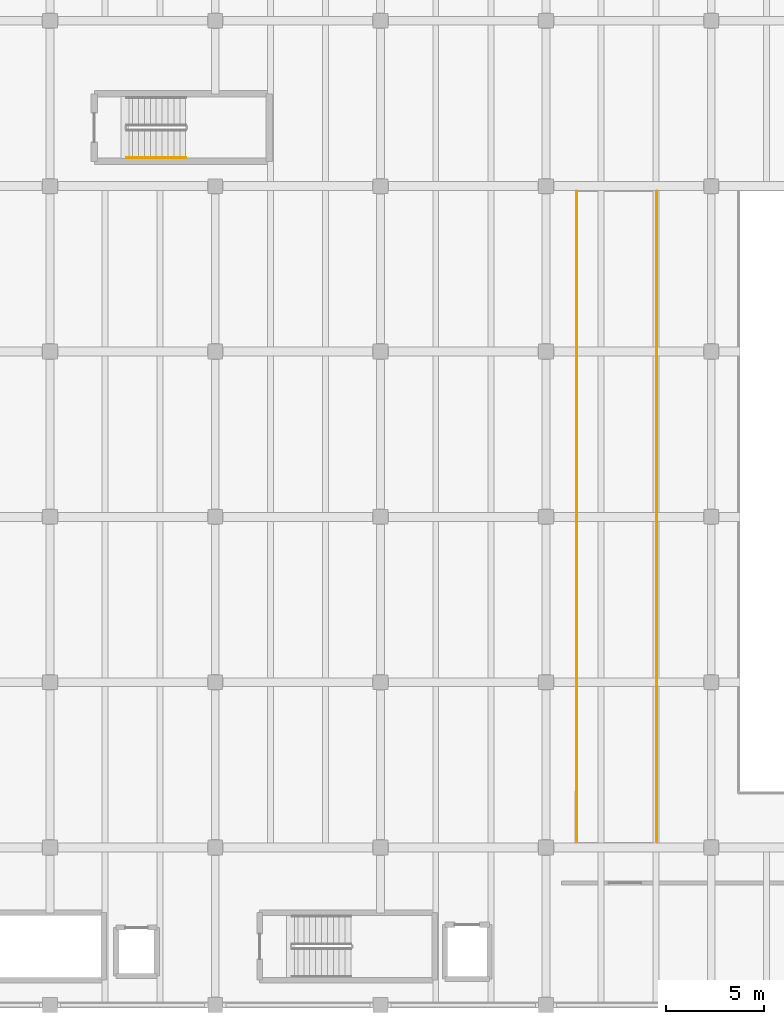
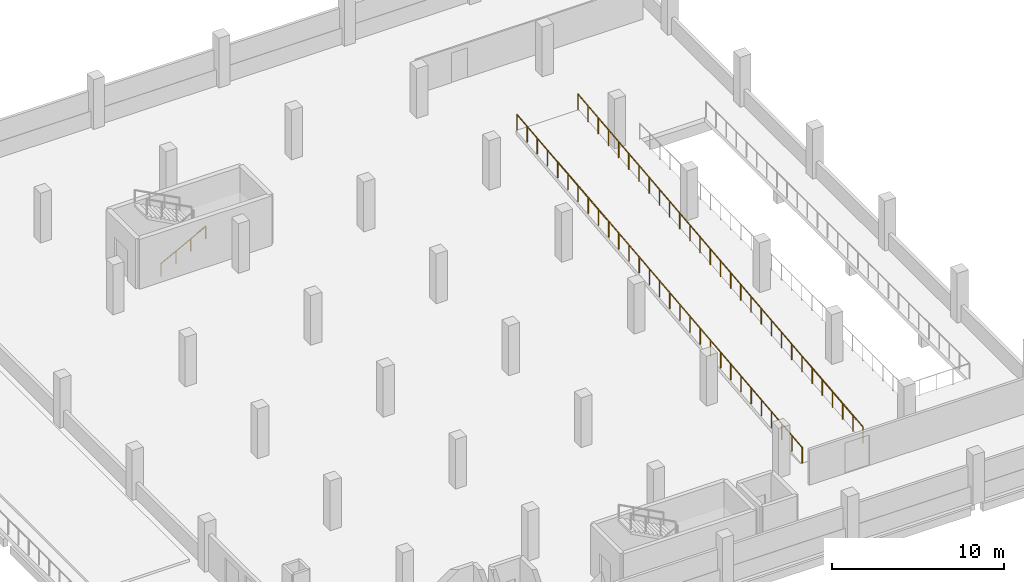
# One storey, part 93 of 95: 3 railings.
"""IFC4 building model written with IfcOpenShell, lengths in metres."""

from ifc_helpers import new_model, si_unit, direction, frame, origin, origin_2d, place, context, subcontext, project, spatial, circle, extrude, material, type_object, element, save


model = new_model("IFC4")

# Units and contexts
model_context = context("Model", 3, precision=1e-05, world=origin(), true_north=direction((0.0, 1.0)))
body_context = subcontext(model_context, "Body", "Model", "MODEL_VIEW")
ifc_project = project(units=[si_unit("LENGTHUNIT", "METRE"), si_unit("AREAUNIT", "SQUARE_METRE"), si_unit("VOLUMEUNIT", "CUBIC_METRE"), si_unit("PLANEANGLEUNIT", "RADIAN"), si_unit("MASSUNIT", "GRAM", prefix="KILO"), si_unit("THERMODYNAMICTEMPERATUREUNIT", "KELVIN"), si_unit("POWERUNIT", "WATT")], contexts=[model_context])

# Site, building, storey
site_placement = place(None, origin())
site = spatial("IfcSite", under=ifc_project, at=site_placement, CompositionType="ELEMENT")
building_placement = place(site_placement, origin())
building = spatial("IfcBuilding", under=site, at=building_placement, Name="Mavoryth Pier Ferry Terminal", CompositionType="ELEMENT")
storey_placement = place(building_placement, frame((0.0, 0.0, 9.60009765625)))
storey = spatial("IfcBuildingStorey", under=building, at=storey_placement, Name="L02", CompositionType="ELEMENT", Elevation=9.60009765625)

# Railings
ifc_material_1 = material(Name="Galvanised Steel Vehicle-Deck Edge Guardrail", Category="steel")
railing_type_1 = type_object("IfcRailingType", Name="Guard-Deck-Heavy1140", PredefinedType="GUARDRAIL", material=ifc_material_1)
railing_1_placement = place(storey_placement, frame((156.840087890625, 22.260009765625, 0.0)))
element("IfcRailing", 1, at=railing_1_placement, inside=storey, type_object=railing_type_1, Name="Ramp VR03 Rail", PredefinedType="GUARDRAIL", context=body_context, shape_type="SweptSolid", body=[
    extrude(circle(Radius=0.02392578125, at=origin_2d()), frame((0.0, 0.0, 1.11572265625), z_axis=(0.0, 0.994386186236, 0.105811684722), x_axis=(-1.0, 0.0, 0.0)), (0.0, 0.0, 1.0), 33.266845703125),
    extrude(circle(Radius=0.02099609375, at=origin_2d()), origin(), (0.0, 0.0, 1.0), 1.091796875),
    extrude(circle(Radius=0.02099609375, at=origin_2d()), frame((0.0, 1.181396484375, 0.125732421875)), (0.0, 0.0, 1.0), 1.091796875),
    extrude(circle(Radius=0.02099609375, at=origin_2d()), frame((0.0, 2.36279296875, 0.25146484375)), (0.0, 0.0, 1.0), 1.091796875),
    extrude(circle(Radius=0.02099609375, at=origin_2d()), frame((0.0, 3.544189453125, 0.377197265625)), (0.0, 0.0, 1.0), 1.091796875),
    extrude(circle(Radius=0.02099609375, at=origin_2d()), frame((0.0, 4.725830078125, 0.5029296875)), (0.0, 0.0, 1.0), 1.091796875),
    extrude(circle(Radius=0.02099609375, at=origin_2d()), frame((0.0, 5.9072265625, 0.628662109375)), (0.0, 0.0, 1.0), 1.091796875),
    extrude(circle(Radius=0.02099609375, at=origin_2d()), frame((0.0, 7.088623046875, 0.75439453125)), (0.0, 0.0, 1.0), 1.091796875),
    extrude(circle(Radius=0.02099609375, at=origin_2d()), frame((0.0, 8.27001953125, 0.8798828125)), (0.0, 0.0, 1.0), 1.091796875),
    extrude(circle(Radius=0.02099609375, at=origin_2d()), frame((0.0, 9.451416015625, 1.005615234375)), (0.0, 0.0, 1.0), 1.091796875),
    extrude(circle(Radius=0.02099609375, at=origin_2d()), frame((0.0, 10.6328125, 1.13134765625)), (0.0, 0.0, 1.0), 1.091796875),
    extrude(circle(Radius=0.02099609375, at=origin_2d()), frame((0.0, 11.814208984375, 1.257080078125)), (0.0, 0.0, 1.0), 1.091796875),
    extrude(circle(Radius=0.02099609375, at=origin_2d()), frame((0.0, 12.995849609375, 1.3828125)), (0.0, 0.0, 1.0), 1.091796875),
    extrude(circle(Radius=0.02099609375, at=origin_2d()), frame((0.0, 14.17724609375, 1.508544921875)), (0.0, 0.0, 1.0), 1.091796875),
    extrude(circle(Radius=0.02099609375, at=origin_2d()), frame((0.0, 15.358642578125, 1.63427734375)), (0.0, 0.0, 1.0), 1.091796875),
    extrude(circle(Radius=0.02099609375, at=origin_2d()), frame((0.0, 16.5400390625, 1.760009765625)), (0.0, 0.0, 1.0), 1.091796875),
    extrude(circle(Radius=0.02099609375, at=origin_2d()), frame((0.0, 17.721435546875, 1.8857421875)), (0.0, 0.0, 1.0), 1.091796875),
    extrude(circle(Radius=0.02099609375, at=origin_2d()), frame((0.0, 18.90283203125, 2.011474609375)), (0.0, 0.0, 1.0), 1.091796875),
    extrude(circle(Radius=0.02099609375, at=origin_2d()), frame((0.0, 20.084228515625, 2.13720703125)), (0.0, 0.0, 1.0), 1.091796875),
    extrude(circle(Radius=0.02099609375, at=origin_2d()), frame((0.0, 21.265869140625, 2.262939453125)), (0.0, 0.0, 1.0), 1.091796875),
    extrude(circle(Radius=0.02099609375, at=origin_2d()), frame((0.0, 22.447265625, 2.388671875)), (0.0, 0.0, 1.0), 1.091796875),
    extrude(circle(Radius=0.02099609375, at=origin_2d()), frame((0.0, 23.628662109375, 2.514404296875)), (0.0, 0.0, 1.0), 1.091796875),
    extrude(circle(Radius=0.02099609375, at=origin_2d()), frame((0.0, 24.81005859375, 2.64013671875)), (0.0, 0.0, 1.0), 1.091796875),
    extrude(circle(Radius=0.02099609375, at=origin_2d()), frame((0.0, 25.991455078125, 2.765625)), (0.0, 0.0, 1.0), 1.091796875),
    extrude(circle(Radius=0.02099609375, at=origin_2d()), frame((0.0, 27.1728515625, 2.891357421875)), (0.0, 0.0, 1.0), 1.091796875),
    extrude(circle(Radius=0.02099609375, at=origin_2d()), frame((0.0, 28.354248046875, 3.01708984375)), (0.0, 0.0, 1.0), 1.091796875),
    extrude(circle(Radius=0.02099609375, at=origin_2d()), frame((0.0, 29.535888671875, 3.142822265625)), (0.0, 0.0, 1.0), 1.091796875),
    extrude(circle(Radius=0.02099609375, at=origin_2d()), frame((0.0, 30.71728515625, 3.2685546875)), (0.0, 0.0, 1.0), 1.091796875),
    extrude(circle(Radius=0.02099609375, at=origin_2d()), frame((0.0, 31.898681640625, 3.394287109375)), (0.0, 0.0, 1.0), 1.091796875),
    extrude(circle(Radius=0.02099609375, at=origin_2d()), frame((0.0, 33.080078125, 3.52001953125)), (0.0, 0.0, 1.0), 1.091796875),
])
railing_2_placement = place(storey_placement, frame((152.760009765625, 22.260009765625, 0.0)))
element("IfcRailing", 2, at=railing_2_placement, inside=storey, type_object=railing_type_1, Name="Ramp VR03 Rail", PredefinedType="GUARDRAIL", context=body_context, shape_type="SweptSolid", body=[
    extrude(circle(Radius=0.02392578125, at=origin_2d()), frame((0.0, 0.0, 1.11572265625), z_axis=(0.0, 0.994386186236, 0.105811684722), x_axis=(-1.0, 0.0, 0.0)), (0.0, 0.0, 1.0), 33.266845703125),
    extrude(circle(Radius=0.02099609375, at=origin_2d()), origin(), (0.0, 0.0, 1.0), 1.091796875),
    extrude(circle(Radius=0.02099609375, at=origin_2d()), frame((0.0, 1.181396484375, 0.125732421875)), (0.0, 0.0, 1.0), 1.091796875),
    extrude(circle(Radius=0.02099609375, at=origin_2d()), frame((0.0, 2.36279296875, 0.25146484375)), (0.0, 0.0, 1.0), 1.091796875),
    extrude(circle(Radius=0.02099609375, at=origin_2d()), frame((0.0, 3.544189453125, 0.377197265625)), (0.0, 0.0, 1.0), 1.091796875),
    extrude(circle(Radius=0.02099609375, at=origin_2d()), frame((0.0, 4.725830078125, 0.5029296875)), (0.0, 0.0, 1.0), 1.091796875),
    extrude(circle(Radius=0.02099609375, at=origin_2d()), frame((0.0, 5.9072265625, 0.628662109375)), (0.0, 0.0, 1.0), 1.091796875),
    extrude(circle(Radius=0.02099609375, at=origin_2d()), frame((0.0, 7.088623046875, 0.75439453125)), (0.0, 0.0, 1.0), 1.091796875),
    extrude(circle(Radius=0.02099609375, at=origin_2d()), frame((0.0, 8.27001953125, 0.8798828125)), (0.0, 0.0, 1.0), 1.091796875),
    extrude(circle(Radius=0.02099609375, at=origin_2d()), frame((0.0, 9.451416015625, 1.005615234375)), (0.0, 0.0, 1.0), 1.091796875),
    extrude(circle(Radius=0.02099609375, at=origin_2d()), frame((0.0, 10.6328125, 1.13134765625)), (0.0, 0.0, 1.0), 1.091796875),
    extrude(circle(Radius=0.02099609375, at=origin_2d()), frame((0.0, 11.814208984375, 1.257080078125)), (0.0, 0.0, 1.0), 1.091796875),
    extrude(circle(Radius=0.02099609375, at=origin_2d()), frame((0.0, 12.995849609375, 1.3828125)), (0.0, 0.0, 1.0), 1.091796875),
    extrude(circle(Radius=0.02099609375, at=origin_2d()), frame((0.0, 14.17724609375, 1.508544921875)), (0.0, 0.0, 1.0), 1.091796875),
    extrude(circle(Radius=0.02099609375, at=origin_2d()), frame((0.0, 15.358642578125, 1.63427734375)), (0.0, 0.0, 1.0), 1.091796875),
    extrude(circle(Radius=0.02099609375, at=origin_2d()), frame((0.0, 16.5400390625, 1.760009765625)), (0.0, 0.0, 1.0), 1.091796875),
    extrude(circle(Radius=0.02099609375, at=origin_2d()), frame((0.0, 17.721435546875, 1.8857421875)), (0.0, 0.0, 1.0), 1.091796875),
    extrude(circle(Radius=0.02099609375, at=origin_2d()), frame((0.0, 18.90283203125, 2.011474609375)), (0.0, 0.0, 1.0), 1.091796875),
    extrude(circle(Radius=0.02099609375, at=origin_2d()), frame((0.0, 20.084228515625, 2.13720703125)), (0.0, 0.0, 1.0), 1.091796875),
    extrude(circle(Radius=0.02099609375, at=origin_2d()), frame((0.0, 21.265869140625, 2.262939453125)), (0.0, 0.0, 1.0), 1.091796875),
    extrude(circle(Radius=0.02099609375, at=origin_2d()), frame((0.0, 22.447265625, 2.388671875)), (0.0, 0.0, 1.0), 1.091796875),
    extrude(circle(Radius=0.02099609375, at=origin_2d()), frame((0.0, 23.628662109375, 2.514404296875)), (0.0, 0.0, 1.0), 1.091796875),
    extrude(circle(Radius=0.02099609375, at=origin_2d()), frame((0.0, 24.81005859375, 2.64013671875)), (0.0, 0.0, 1.0), 1.091796875),
    extrude(circle(Radius=0.02099609375, at=origin_2d()), frame((0.0, 25.991455078125, 2.765625)), (0.0, 0.0, 1.0), 1.091796875),
    extrude(circle(Radius=0.02099609375, at=origin_2d()), frame((0.0, 27.1728515625, 2.891357421875)), (0.0, 0.0, 1.0), 1.091796875),
    extrude(circle(Radius=0.02099609375, at=origin_2d()), frame((0.0, 28.354248046875, 3.01708984375)), (0.0, 0.0, 1.0), 1.091796875),
    extrude(circle(Radius=0.02099609375, at=origin_2d()), frame((0.0, 29.535888671875, 3.142822265625)), (0.0, 0.0, 1.0), 1.091796875),
    extrude(circle(Radius=0.02099609375, at=origin_2d()), frame((0.0, 30.71728515625, 3.2685546875)), (0.0, 0.0, 1.0), 1.091796875),
    extrude(circle(Radius=0.02099609375, at=origin_2d()), frame((0.0, 31.898681640625, 3.394287109375)), (0.0, 0.0, 1.0), 1.091796875),
    extrude(circle(Radius=0.02099609375, at=origin_2d()), frame((0.0, 33.080078125, 3.52001953125)), (0.0, 0.0, 1.0), 1.091796875),
])
ifc_material_2 = material(Name="Brushed Stainless Steel Tubular Handrail", Category="steel")
railing_type_2 = type_object("IfcRailingType", Name="Handrail-Stair-SS900", PredefinedType="HANDRAIL", material=ifc_material_2)
railing_3_placement = place(storey_placement, frame((129.89990234375, 57.050048828125, 0.159912109375)))
element("IfcRailing", 3, at=railing_3_placement, inside=storey, type_object=railing_type_2, Name="L02 ST10 stair handrail 1", PredefinedType="HANDRAIL", context=body_context, shape_type="SweptSolid", body=[
    extrude(circle(Radius=0.02392578125, at=origin_2d()), frame((0.0, 0.0, 0.8759765625), z_axis=(0.882341014787, 0.0, 0.470610596591), x_axis=(0.0, 1.0, 0.0)), (0.0, 0.0, 1.0), 3.400146484375),
    extrude(circle(Radius=0.02099609375, at=origin_2d()), origin(), (0.0, 0.0, 1.0), 0.851806640625),
    extrude(circle(Radius=0.02099609375, at=origin_2d()), frame((1.0, 0.0, 0.533447265625)), (0.0, 0.0, 1.0), 0.851806640625),
    extrude(circle(Radius=0.02099609375, at=origin_2d()), frame((2.0, 0.0, 1.066650390625)), (0.0, 0.0, 1.0), 0.851806640625),
    extrude(circle(Radius=0.02099609375, at=origin_2d()), frame((3.0, 0.0, 1.60009765625)), (0.0, 0.0, 1.0), 0.851806640625),
])

save(model, "model.ifc")
